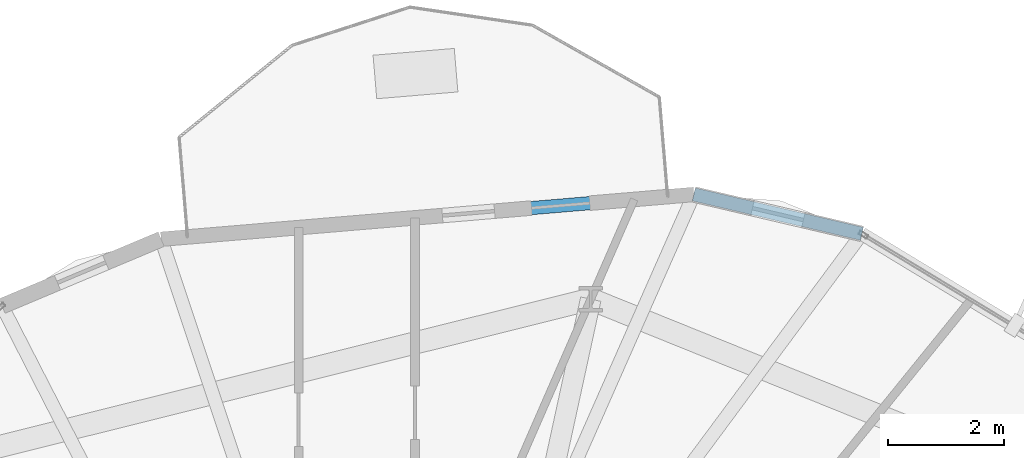
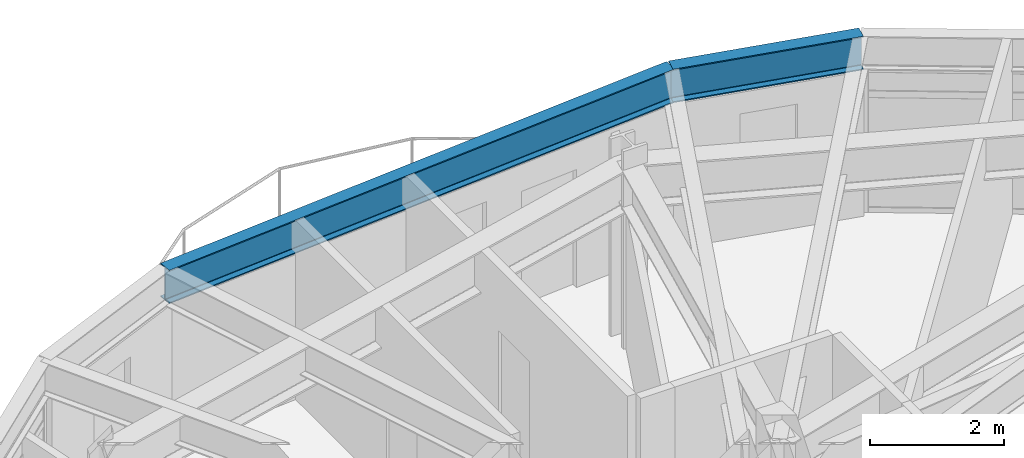
# One storey, part 19 of 27: 2 beams.
"""IFC4 building model written with IfcOpenShell, lengths in metres."""

from ifc_helpers import new_model, si_unit, direction, frame, origin, origin_2d, place, context, subcontext, project, spatial, i_section, extrude, material, material_profile, profile_set, type_object, element, save


model = new_model("IFC4")

# Units and contexts
model_context = context("Model", 3, precision=1e-05, world=origin(), true_north=direction((0.0, 1.0)))
body_context = subcontext(model_context, "Body", "Model", "MODEL_VIEW")
ifc_project = project(units=[si_unit("LENGTHUNIT", "METRE"), si_unit("AREAUNIT", "SQUARE_METRE"), si_unit("VOLUMEUNIT", "CUBIC_METRE"), si_unit("PLANEANGLEUNIT", "RADIAN"), si_unit("MASSUNIT", "GRAM", prefix="KILO")], contexts=[model_context])

# Site, building, storey
site_placement = place(None, origin())
site = spatial("IfcSite", under=ifc_project, at=site_placement, CompositionType="ELEMENT")
building_placement = place(site_placement, origin())
building = spatial("IfcBuilding", under=site, at=building_placement, Name="Soratama Intermodal Tower", CompositionType="ELEMENT")
storey_placement = place(building_placement, frame((0.0, 0.0, 182.199951171875)))
storey = spatial("IfcBuildingStorey", under=building, at=storey_placement, Name="L45", CompositionType="ELEMENT", Elevation=182.199951171875)

# Beams
ifc_material = material(Name="Structural steel ASTM A992 Grade 50", Category="steel")
ifc_material_profile = material_profile(ifc_material, i_section(OverallWidth=0.22900390625, OverallDepth=0.612060546875, WebThickness=0.011962890625, FlangeThickness=0.01953125, FilletRadius=0.012939453125, at=origin_2d()), Name="W24X84")
ifc_profile_set = profile_set([ifc_material_profile], Name="Structural steel ASTM A992 Grade 50")
beam_type = type_object("IfcBeamType", Name="BM-SPN-W24X84", PredefinedType="SPANDREL", material=ifc_profile_set)
beam_1_placement = place(storey_placement, frame((50.881103515625, 43.580078125, 2.9541015625), z_axis=(-0.973610024841, 0.228218140227, 0.0), x_axis=(-0.228218140227, -0.973610024841, 0.0)))
element("IfcBeam", 1, at=beam_1_placement, inside=storey, type_object=beam_type, Name="BS-L45-CRN01", PredefinedType="SPANDREL", context=body_context, shape_type="SweptSolid", body=[
    extrude(i_section(OverallWidth=0.22900390625, OverallDepth=0.612060546875, WebThickness=0.011962890625, FlangeThickness=0.01953125, FilletRadius=0.012939453125, at=origin_2d()), origin(), (0.0, 0.0, 1.0), 2.966552734375),
])
beam_2_placement = place(storey_placement, frame((47.992919921875, 44.257080078125, 2.9541015625), z_axis=(-0.99649111956, -0.083698558158, 0.0), x_axis=(0.083698558158, -0.99649111956, 0.0)))
element("IfcBeam", 2, at=beam_2_placement, inside=storey, type_object=beam_type, Name="BS-L45-F02", PredefinedType="SPANDREL", context=body_context, shape_type="SweptSolid", body=[
    extrude(i_section(OverallWidth=0.22900390625, OverallDepth=0.612060546875, WebThickness=0.011962890625, FlangeThickness=0.01953125, FilletRadius=0.012939453125, at=origin_2d()), origin(), (0.0, 0.0, 1.0), 9.188232421875),
])

save(model, "model.ifc")
